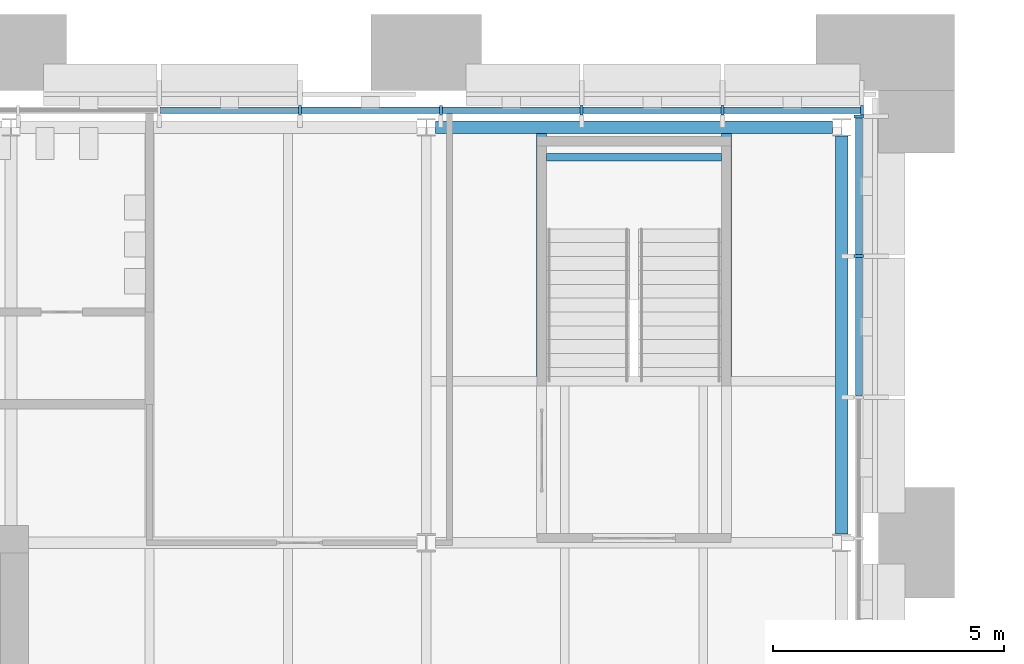
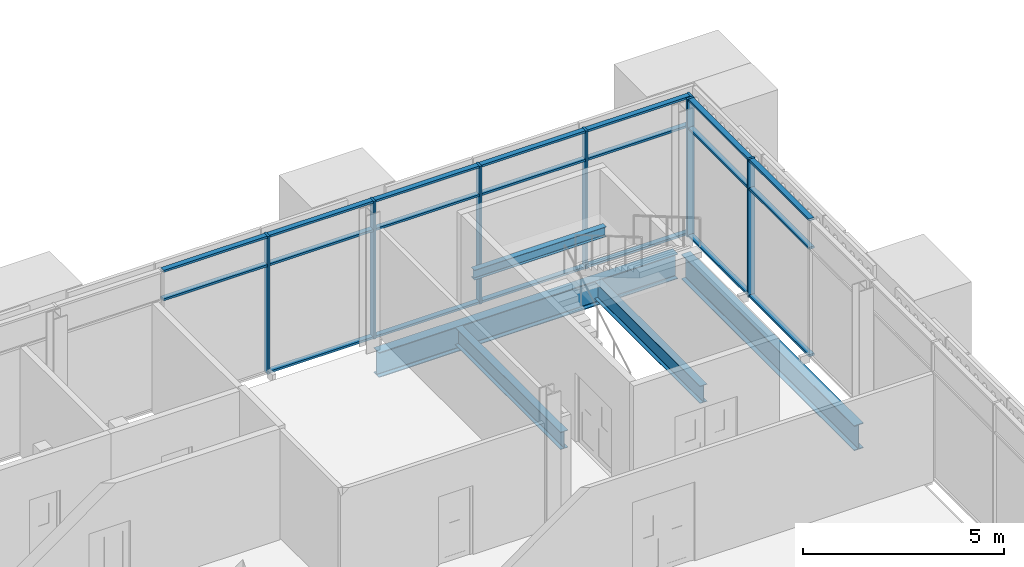
# One storey, part 14 of 54: 27 members, 5 beams, 2 elements without a shape of their own.
"""IFC4 building model written with IfcOpenShell, lengths in metres."""

from ifc_helpers import new_model, si_unit, direction, frame, origin, origin_2d, place, context, subcontext, project, spatial, rectangle, i_section, extrude, material, material_profile, profile_set, type_object, element, aggregate, save


model = new_model("IFC4")

# Units and contexts
model_context = context("Model", 3, precision=1e-05, world=origin(), true_north=direction((0.0, 1.0)))
body_context = subcontext(model_context, "Body", "Model", "MODEL_VIEW")
ifc_project = project(units=[si_unit("LENGTHUNIT", "METRE"), si_unit("AREAUNIT", "SQUARE_METRE"), si_unit("VOLUMEUNIT", "CUBIC_METRE"), si_unit("PLANEANGLEUNIT", "RADIAN"), si_unit("MASSUNIT", "GRAM", prefix="KILO")], contexts=[model_context])

# Site, building, storey
site_placement = place(None, origin())
site = spatial("IfcSite", under=ifc_project, at=site_placement, CompositionType="ELEMENT")
building_placement = place(site_placement, origin())
building = spatial("IfcBuilding", under=site, at=building_placement, Name="Baradari Gate Terminus", CompositionType="ELEMENT")
storey_placement = place(building_placement, frame((0.0, 0.0, 15.89990234375)))
storey = spatial("IfcBuildingStorey", under=building, at=storey_placement, Name="L03", CompositionType="ELEMENT", Elevation=15.89990234375)

# Curtain wall, members
ifc_material_1 = material(Name="Aluminium 6063-T6", Category="aluminium")
curtain_wall_type = type_object("IfcCurtainWallType", Name="Curtain wall CW-1 block unitised, zone L02-L05", PredefinedType="NOTDEFINED", material=ifc_material_1)
curtain_wall_1_placement = place(storey_placement, origin())
curtain_wall_1 = element("IfcCurtainWall", 1, at=curtain_wall_1_placement, inside=storey, type_object=curtain_wall_type, Name="Curtain wall CW-1 Operations block N face L03", PredefinedType="NOTDEFINED")
ifc_material_2 = material(Name="Aluminium 6063-T6", Category="aluminium")
ifc_material_profile_1 = material_profile(ifc_material_2, rectangle(XDim=0.199951171875, YDim=0.06494140625, at=origin_2d()), Name="CM-1 65X200")
ifc_profile_set_1 = profile_set([ifc_material_profile_1], Name="Aluminium 6063-T6")
member_type_1 = type_object("IfcMemberType", Name="Curtain wall mullion CM-1 65x200", PredefinedType="MULLION", material=ifc_profile_set_1)
member_1_placement = place(storey_placement, frame((51.26123046875, 144.3701171875, 0.0), z_axis=(0.0, 0.0, 1.0), x_axis=(0.0, 1.0, 0.0)))
member_1 = element("IfcMember", 2, at=member_1_placement, type_object=member_type_1, Name="CW-1 mullion 15", PredefinedType="MULLION", context=body_context, shape_type="SweptSolid", body=[
    extrude(rectangle(XDim=0.199951171875, YDim=0.06494140625, at=origin_2d()), origin(), (0.0, 0.0, 1.0), 4.2001953125),
])
member_2_placement = place(storey_placement, frame((54.313232421875, 144.3701171875, 0.0), z_axis=(0.0, 0.0, 1.0), x_axis=(0.0, 1.0, 0.0)))
member_2 = element("IfcMember", 3, at=member_2_placement, type_object=member_type_1, Name="CW-1 mullion 16", PredefinedType="MULLION", context=body_context, shape_type="SweptSolid", body=[
    extrude(rectangle(XDim=0.199951171875, YDim=0.06494140625, at=origin_2d()), origin(), (0.0, 0.0, 1.0), 4.2001953125),
])
member_3_placement = place(storey_placement, frame((57.365478515625, 144.3701171875, 0.0), z_axis=(0.0, 0.0, 1.0), x_axis=(0.0, 1.0, 0.0)))
member_3 = element("IfcMember", 4, at=member_3_placement, type_object=member_type_1, Name="CW-1 mullion 17", PredefinedType="MULLION", context=body_context, shape_type="SweptSolid", body=[
    extrude(rectangle(XDim=0.199951171875, YDim=0.06494140625, at=origin_2d()), origin(), (0.0, 0.0, 1.0), 4.2001953125),
])
member_4_placement = place(storey_placement, frame((60.417724609375, 144.3701171875, 0.0), z_axis=(0.0, 0.0, 1.0), x_axis=(0.0, 1.0, 0.0)))
member_4 = element("IfcMember", 5, at=member_4_placement, type_object=member_type_1, Name="CW-1 mullion 18", PredefinedType="MULLION", context=body_context, shape_type="SweptSolid", body=[
    extrude(rectangle(XDim=0.199951171875, YDim=0.06494140625, at=origin_2d()), origin(), (0.0, 0.0, 1.0), 4.2001953125),
])
member_5_placement = place(storey_placement, frame((63.4375, 144.3701171875, 0.0), z_axis=(0.0, 0.0, 1.0), x_axis=(0.0, 1.0, 0.0)))
member_5 = element("IfcMember", 6, at=member_5_placement, type_object=member_type_1, Name="CW-1 mullion 19", PredefinedType="MULLION", context=body_context, shape_type="SweptSolid", body=[
    extrude(rectangle(XDim=0.199951171875, YDim=0.06494140625, at=origin_2d()), origin(), (0.0, 0.0, 1.0), 4.2001953125),
])

curtain_wall_2_placement = place(storey_placement, origin())
curtain_wall_2 = element("IfcCurtainWall", 7, at=curtain_wall_2_placement, inside=storey, type_object=curtain_wall_type, Name="Curtain wall CW-1 Operations block E face L03", PredefinedType="NOTDEFINED")
member_6_placement = place(storey_placement, frame((63.3701171875, 141.2099609375, 0.0), z_axis=(0.0, 0.0, 1.0), x_axis=(-1.0, 0.0, 0.0)))
member_6 = element("IfcMember", 8, at=member_6_placement, type_object=member_type_1, Name="CW-1 mullion 9", PredefinedType="MULLION", context=body_context, shape_type="SweptSolid", body=[
    extrude(rectangle(XDim=0.199951171875, YDim=0.06494140625, at=origin_2d()), origin(), (0.0, 0.0, 1.0), 4.2001953125),
])
member_7_placement = place(storey_placement, frame((63.3701171875, 144.237548828125, 0.0), z_axis=(0.0, 0.0, 1.0), x_axis=(-1.0, 0.0, 0.0)))
member_7 = element("IfcMember", 9, at=member_7_placement, type_object=member_type_1, Name="CW-1 mullion 10", PredefinedType="MULLION", context=body_context, shape_type="SweptSolid", body=[
    extrude(rectangle(XDim=0.199951171875, YDim=0.06494140625, at=origin_2d()), origin(), (0.0, 0.0, 1.0), 4.2001953125),
])

# Member
ifc_material_3 = material(Name="Aluminium 6063-T6", Category="aluminium")
ifc_material_profile_2 = material_profile(ifc_material_3, rectangle(XDim=0.14990234375, YDim=0.06494140625, at=origin_2d()), Name="CT-1 65X150")
ifc_profile_set_2 = profile_set([ifc_material_profile_2], Name="Aluminium 6063-T6")
member_type_2 = type_object("IfcMemberType", Name="Curtain wall transom CT-1 65x150", PredefinedType="USERDEFINED", material=ifc_profile_set_2)
member_8_placement = place(storey_placement, frame((48.241455078125, 144.3701171875, 3.300048828125), z_axis=(1.0, 0.0, 0.0), x_axis=(0.0, 1.0, 0.0)))
member_8 = element("IfcMember", 10, at=member_8_placement, type_object=member_type_2, Name="CW-1 transom 14.2", ObjectType="TRANSOM", PredefinedType="USERDEFINED", context=body_context, shape_type="SweptSolid", body=[
    extrude(rectangle(XDim=0.14990234375, YDim=0.06494140625, at=origin_2d()), origin(), (0.0, 0.0, 1.0), 2.987060546875),
])

member_9_placement = place(storey_placement, frame((48.241455078125, 144.3701171875, 4.16748046875), z_axis=(1.0, 0.0, 0.0), x_axis=(0.0, 1.0, 0.0)))
member_9 = element("IfcMember", 11, at=member_9_placement, type_object=member_type_2, Name="CW-1 transom 14.3", ObjectType="TRANSOM", PredefinedType="USERDEFINED", context=body_context, shape_type="SweptSolid", body=[
    extrude(rectangle(XDim=0.14990234375, YDim=0.06494140625, at=origin_2d()), origin(), (0.0, 0.0, 1.0), 2.987060546875),
])

member_10_placement = place(storey_placement, frame((51.293701171875, 144.3701171875, 0.03271484375), z_axis=(1.0, 0.0, 0.0), x_axis=(0.0, 1.0, 0.0)))
member_10 = element("IfcMember", 12, at=member_10_placement, type_object=member_type_2, Name="CW-1 transom 15.1", ObjectType="TRANSOM", PredefinedType="USERDEFINED", context=body_context, shape_type="SweptSolid", body=[
    extrude(rectangle(XDim=0.14990234375, YDim=0.06494140625, at=origin_2d()), origin(), (0.0, 0.0, 1.0), 2.987060546875),
])

member_11_placement = place(storey_placement, frame((51.293701171875, 144.3701171875, 3.300048828125), z_axis=(1.0, 0.0, 0.0), x_axis=(0.0, 1.0, 0.0)))
member_11 = element("IfcMember", 13, at=member_11_placement, type_object=member_type_2, Name="CW-1 transom 15.2", ObjectType="TRANSOM", PredefinedType="USERDEFINED", context=body_context, shape_type="SweptSolid", body=[
    extrude(rectangle(XDim=0.14990234375, YDim=0.06494140625, at=origin_2d()), origin(), (0.0, 0.0, 1.0), 2.987060546875),
])

member_12_placement = place(storey_placement, frame((51.293701171875, 144.3701171875, 4.16748046875), z_axis=(1.0, 0.0, 0.0), x_axis=(0.0, 1.0, 0.0)))
member_12 = element("IfcMember", 14, at=member_12_placement, type_object=member_type_2, Name="CW-1 transom 15.3", ObjectType="TRANSOM", PredefinedType="USERDEFINED", context=body_context, shape_type="SweptSolid", body=[
    extrude(rectangle(XDim=0.14990234375, YDim=0.06494140625, at=origin_2d()), origin(), (0.0, 0.0, 1.0), 2.987060546875),
])

member_13_placement = place(storey_placement, frame((54.345947265625, 144.3701171875, 0.03271484375), z_axis=(1.0, 0.0, 0.0), x_axis=(0.0, 1.0, 0.0)))
member_13 = element("IfcMember", 15, at=member_13_placement, type_object=member_type_2, Name="CW-1 transom 16.1", ObjectType="TRANSOM", PredefinedType="USERDEFINED", context=body_context, shape_type="SweptSolid", body=[
    extrude(rectangle(XDim=0.14990234375, YDim=0.06494140625, at=origin_2d()), origin(), (0.0, 0.0, 1.0), 2.987060546875),
])

member_14_placement = place(storey_placement, frame((54.345947265625, 144.3701171875, 3.300048828125), z_axis=(1.0, 0.0, 0.0), x_axis=(0.0, 1.0, 0.0)))
member_14 = element("IfcMember", 16, at=member_14_placement, type_object=member_type_2, Name="CW-1 transom 16.2", ObjectType="TRANSOM", PredefinedType="USERDEFINED", context=body_context, shape_type="SweptSolid", body=[
    extrude(rectangle(XDim=0.14990234375, YDim=0.06494140625, at=origin_2d()), origin(), (0.0, 0.0, 1.0), 2.987060546875),
])

member_15_placement = place(storey_placement, frame((54.345947265625, 144.3701171875, 4.16748046875), z_axis=(1.0, 0.0, 0.0), x_axis=(0.0, 1.0, 0.0)))
member_15 = element("IfcMember", 17, at=member_15_placement, type_object=member_type_2, Name="CW-1 transom 16.3", ObjectType="TRANSOM", PredefinedType="USERDEFINED", context=body_context, shape_type="SweptSolid", body=[
    extrude(rectangle(XDim=0.14990234375, YDim=0.06494140625, at=origin_2d()), origin(), (0.0, 0.0, 1.0), 2.987060546875),
])

member_16_placement = place(storey_placement, frame((57.39794921875, 144.3701171875, 0.03271484375), z_axis=(1.0, 0.0, 0.0), x_axis=(0.0, 1.0, 0.0)))
member_16 = element("IfcMember", 18, at=member_16_placement, type_object=member_type_2, Name="CW-1 transom 17.1", ObjectType="TRANSOM", PredefinedType="USERDEFINED", context=body_context, shape_type="SweptSolid", body=[
    extrude(rectangle(XDim=0.14990234375, YDim=0.06494140625, at=origin_2d()), origin(), (0.0, 0.0, 1.0), 2.9873046875),
])

member_17_placement = place(storey_placement, frame((57.39794921875, 144.3701171875, 3.300048828125), z_axis=(1.0, 0.0, 0.0), x_axis=(0.0, 1.0, 0.0)))
member_17 = element("IfcMember", 19, at=member_17_placement, type_object=member_type_2, Name="CW-1 transom 17.2", ObjectType="TRANSOM", PredefinedType="USERDEFINED", context=body_context, shape_type="SweptSolid", body=[
    extrude(rectangle(XDim=0.14990234375, YDim=0.06494140625, at=origin_2d()), origin(), (0.0, 0.0, 1.0), 2.9873046875),
])

member_18_placement = place(storey_placement, frame((57.39794921875, 144.3701171875, 4.16748046875), z_axis=(1.0, 0.0, 0.0), x_axis=(0.0, 1.0, 0.0)))
member_18 = element("IfcMember", 20, at=member_18_placement, type_object=member_type_2, Name="CW-1 transom 17.3", ObjectType="TRANSOM", PredefinedType="USERDEFINED", context=body_context, shape_type="SweptSolid", body=[
    extrude(rectangle(XDim=0.14990234375, YDim=0.06494140625, at=origin_2d()), origin(), (0.0, 0.0, 1.0), 2.9873046875),
])

member_19_placement = place(storey_placement, frame((60.4501953125, 144.3701171875, 0.03271484375), z_axis=(1.0, 0.0, 0.0), x_axis=(0.0, 1.0, 0.0)))
member_19 = element("IfcMember", 21, at=member_19_placement, type_object=member_type_2, Name="CW-1 transom 18.1", ObjectType="TRANSOM", PredefinedType="USERDEFINED", context=body_context, shape_type="SweptSolid", body=[
    extrude(rectangle(XDim=0.14990234375, YDim=0.06494140625, at=origin_2d()), origin(), (0.0, 0.0, 1.0), 2.954833984375),
])

member_20_placement = place(storey_placement, frame((60.4501953125, 144.3701171875, 3.300048828125), z_axis=(1.0, 0.0, 0.0), x_axis=(0.0, 1.0, 0.0)))
member_20 = element("IfcMember", 22, at=member_20_placement, type_object=member_type_2, Name="CW-1 transom 18.2", ObjectType="TRANSOM", PredefinedType="USERDEFINED", context=body_context, shape_type="SweptSolid", body=[
    extrude(rectangle(XDim=0.14990234375, YDim=0.06494140625, at=origin_2d()), origin(), (0.0, 0.0, 1.0), 2.954833984375),
])

member_21_placement = place(storey_placement, frame((60.4501953125, 144.3701171875, 4.16748046875), z_axis=(1.0, 0.0, 0.0), x_axis=(0.0, 1.0, 0.0)))
member_21 = element("IfcMember", 23, at=member_21_placement, type_object=member_type_2, Name="CW-1 transom 18.3", ObjectType="TRANSOM", PredefinedType="USERDEFINED", context=body_context, shape_type="SweptSolid", body=[
    extrude(rectangle(XDim=0.14990234375, YDim=0.06494140625, at=origin_2d()), origin(), (0.0, 0.0, 1.0), 2.954833984375),
])

aggregate(curtain_wall_1, [member_1, member_2, member_3, member_4, member_5, member_8, member_9, member_10, member_11, member_12, member_13, member_14, member_15, member_16, member_17, member_18, member_19, member_20, member_21])

member_22_placement = place(storey_placement, frame((63.3701171875, 138.1826171875, 0.03271484375), z_axis=(0.0, 1.0, 0.0), x_axis=(-1.0, 0.0, 0.0)))
member_22 = element("IfcMember", 24, at=member_22_placement, type_object=member_type_2, Name="CW-1 transom 8.1", ObjectType="TRANSOM", PredefinedType="USERDEFINED", context=body_context, shape_type="SweptSolid", body=[
    extrude(rectangle(XDim=0.14990234375, YDim=0.06494140625, at=origin_2d()), origin(), (0.0, 0.0, 1.0), 2.994873046875),
])

member_23_placement = place(storey_placement, frame((63.3701171875, 138.1826171875, 3.300048828125), z_axis=(0.0, 1.0, 0.0), x_axis=(-1.0, 0.0, 0.0)))
member_23 = element("IfcMember", 25, at=member_23_placement, type_object=member_type_2, Name="CW-1 transom 8.2", ObjectType="TRANSOM", PredefinedType="USERDEFINED", context=body_context, shape_type="SweptSolid", body=[
    extrude(rectangle(XDim=0.14990234375, YDim=0.06494140625, at=origin_2d()), origin(), (0.0, 0.0, 1.0), 2.994873046875),
])

member_24_placement = place(storey_placement, frame((63.3701171875, 138.1826171875, 4.16748046875), z_axis=(0.0, 1.0, 0.0), x_axis=(-1.0, 0.0, 0.0)))
member_24 = element("IfcMember", 26, at=member_24_placement, type_object=member_type_2, Name="CW-1 transom 8.3", ObjectType="TRANSOM", PredefinedType="USERDEFINED", context=body_context, shape_type="SweptSolid", body=[
    extrude(rectangle(XDim=0.14990234375, YDim=0.06494140625, at=origin_2d()), origin(), (0.0, 0.0, 1.0), 2.994873046875),
])

member_25_placement = place(storey_placement, frame((63.3701171875, 141.242431640625, 0.03271484375), z_axis=(0.0, 1.0, 0.0), x_axis=(-1.0, 0.0, 0.0)))
member_25 = element("IfcMember", 27, at=member_25_placement, type_object=member_type_2, Name="CW-1 transom 9.1", ObjectType="TRANSOM", PredefinedType="USERDEFINED", context=body_context, shape_type="SweptSolid", body=[
    extrude(rectangle(XDim=0.14990234375, YDim=0.06494140625, at=origin_2d()), origin(), (0.0, 0.0, 1.0), 2.962646484375),
])

member_26_placement = place(storey_placement, frame((63.3701171875, 141.242431640625, 3.300048828125), z_axis=(0.0, 1.0, 0.0), x_axis=(-1.0, 0.0, 0.0)))
member_26 = element("IfcMember", 28, at=member_26_placement, type_object=member_type_2, Name="CW-1 transom 9.2", ObjectType="TRANSOM", PredefinedType="USERDEFINED", context=body_context, shape_type="SweptSolid", body=[
    extrude(rectangle(XDim=0.14990234375, YDim=0.06494140625, at=origin_2d()), origin(), (0.0, 0.0, 1.0), 2.962646484375),
])

member_27_placement = place(storey_placement, frame((63.3701171875, 141.242431640625, 4.16748046875), z_axis=(0.0, 1.0, 0.0), x_axis=(-1.0, 0.0, 0.0)))
member_27 = element("IfcMember", 29, at=member_27_placement, type_object=member_type_2, Name="CW-1 transom 9.3", ObjectType="TRANSOM", PredefinedType="USERDEFINED", context=body_context, shape_type="SweptSolid", body=[
    extrude(rectangle(XDim=0.14990234375, YDim=0.06494140625, at=origin_2d()), origin(), (0.0, 0.0, 1.0), 2.962646484375),
])

aggregate(curtain_wall_2, [member_6, member_7, member_22, member_23, member_24, member_25, member_26, member_27])

# Beams
ifc_material_4 = material(Name="Steel S355", Category="steel")
ifc_material_profile_3 = material_profile(ifc_material_4, i_section(OverallWidth=0.1650390625, OverallDepth=0.303466796875, WebThickness=0.006103515625, FlangeThickness=0.01025390625, FilletRadius=0.0087890625, at=origin_2d()), Name="UB 305x165x40")
ifc_profile_set_3 = profile_set([ifc_material_profile_3], Name="Steel S355")
beam_type_1 = type_object("IfcBeamType", Name="Landing beam B75 UB 305x165x40", PredefinedType="BEAM", material=ifc_profile_set_3)
beam_1_placement = place(storey_placement, frame((56.60009765625, 143.35009765625, 1.748291015625), z_axis=(1.0, 0.0, 0.0), x_axis=(0.0, 1.0, 0.0)))
element("IfcBeam", 30, at=beam_1_placement, inside=storey, type_object=beam_type_1, Name="B75 landing beam ST-T3/L1", PredefinedType="BEAM", context=body_context, shape_type="SweptSolid", body=[
    extrude(i_section(OverallWidth=0.1650390625, OverallDepth=0.303466796875, WebThickness=0.006103515625, FlangeThickness=0.01025390625, FilletRadius=0.0087890625, at=origin_2d()), origin(), (0.0, 0.0, 1.0), 3.7998046875),
])
ifc_material_5 = material(Name="Steel S355", Category="steel")
ifc_material_profile_4 = material_profile(ifc_material_5, i_section(OverallWidth=0.2666015625, OverallDepth=0.76220703125, WebThickness=0.014404296875, FlangeThickness=0.021484375, FilletRadius=0.0166015625, at=origin_2d()), Name="UB 762x267x173")
ifc_profile_set_4 = profile_set([ifc_material_profile_4], Name="Steel S355")
beam_type_2 = type_object("IfcBeamType", Name="Operations block moment frame beam B24 UB 762x267x173", PredefinedType="BEAM", material=ifc_profile_set_4)
beam_2_placement = place(storey_placement, frame((54.197509765625, 144.0, -0.510986328125), z_axis=(1.0, 0.0, 0.0), x_axis=(0.0, 1.0, 0.0)))
element("IfcBeam", 31, at=beam_2_placement, inside=storey, type_object=beam_type_2, Name="Operations block moment frame beam B24 S:54.197-62.803 L03", PredefinedType="BEAM", context=body_context, shape_type="SweptSolid", body=[
    extrude(i_section(OverallWidth=0.2666015625, OverallDepth=0.76220703125, WebThickness=0.014404296875, FlangeThickness=0.021484375, FilletRadius=0.0166015625, at=origin_2d()), origin(), (0.0, 0.0, 1.0), 8.60498046875),
])
beam_3_placement = place(storey_placement, frame((63.0, 135.1904296875, -0.510986328125), z_axis=(0.0, 1.0, 0.0), x_axis=(-1.0, 0.0, 0.0)))
element("IfcBeam", 32, at=beam_3_placement, inside=storey, type_object=beam_type_2, Name="Operations block moment frame beam B24 8:135.19-143.81 L03", PredefinedType="BEAM", context=body_context, shape_type="SweptSolid", body=[
    extrude(i_section(OverallWidth=0.2666015625, OverallDepth=0.76220703125, WebThickness=0.014404296875, FlangeThickness=0.021484375, FilletRadius=0.0166015625, at=origin_2d()), origin(), (0.0, 0.0, 1.0), 8.619140625),
])
ifc_material_6 = material(Name="Steel S355", Category="steel")
ifc_material_profile_5 = material_profile(ifc_material_6, i_section(OverallWidth=0.209228515625, OverallDepth=0.533203125, WebThickness=0.010009765625, FlangeThickness=0.015625, FilletRadius=0.0126953125, at=origin_2d()), Name="UB 533x210x92")
ifc_profile_set_5 = profile_set([ifc_material_profile_5], Name="Steel S355")
beam_type_3 = type_object("IfcBeamType", Name="Operations block trimmer beam B27 UB 533x210x92", PredefinedType="BEAM", material=ifc_profile_set_5)
for number, where, z_axis, x_axis, name in (
    (33, (56.4951171875, 138.6044921875, -0.396484375), (0.0, 1.0, 0.0), (-1.0, 0.0, 0.0), "Operations block trimmer beam B27 56.495:138.605-143.867 L03"),
    (34, (60.5048828125, 138.6044921875, -0.396484375), (0.0, 1.0, 0.0), (-1.0, 0.0, 0.0), "Operations block trimmer beam B27 60.505:138.605-143.867 L03"),
):
    element("IfcBeam", number, at=place(storey_placement, frame(where, z_axis=z_axis, x_axis=x_axis)), inside=storey, type_object=beam_type_3, Name=name, PredefinedType="BEAM", context=body_context, shape_type="SweptSolid", body=[
        extrude(i_section(OverallWidth=0.209228515625, OverallDepth=0.533203125, WebThickness=0.010009765625, FlangeThickness=0.015625, FilletRadius=0.0126953125, at=origin_2d()), origin(), (0.0, 0.0, 1.0), 5.26220703125),
    ])

save(model, "model.ifc")
